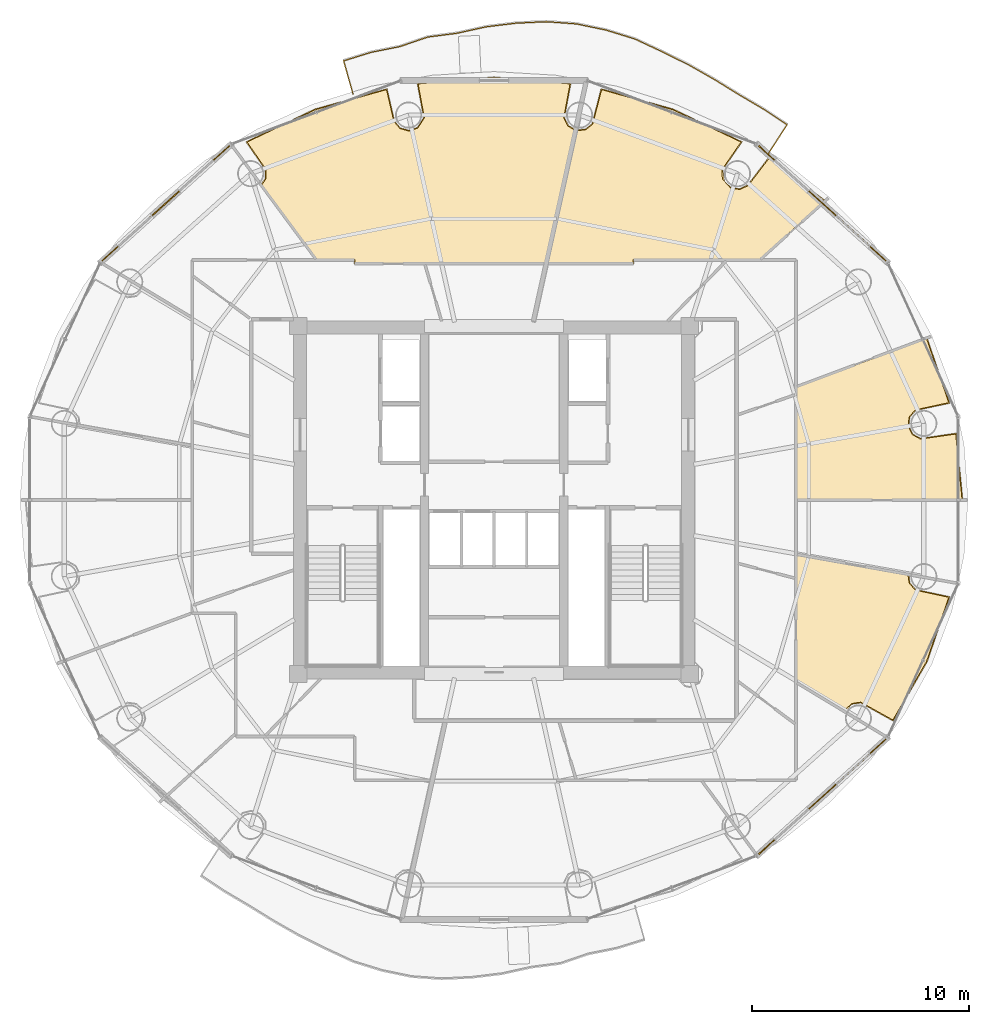
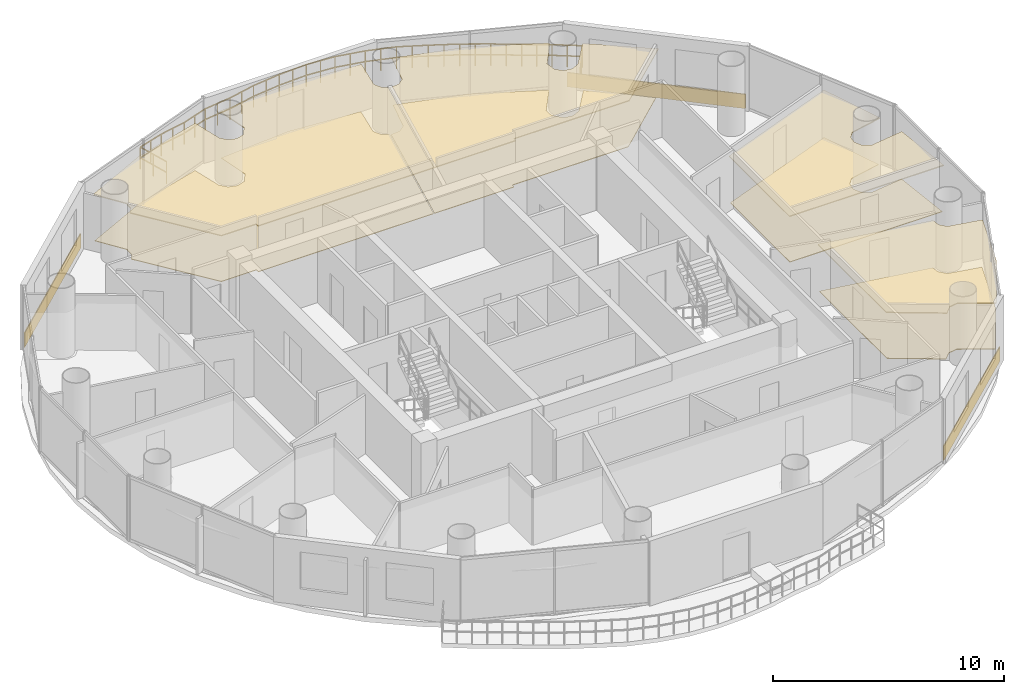
# One storey, part 26 of 26: 11 coverings, 1 railing.
"""IFC4 building model written with IfcOpenShell, lengths in metres."""

from ifc_helpers import new_model, si_unit, direction, frame, origin, origin_2d, place, context, subcontext, project, spatial, polyline, rectangle, outline, extrude, source, transform, mapped, material, layer, layer_set, type_object, element, save


model = new_model("IFC4")

# Units and contexts
model_context = context("Model", 3, precision=1e-05, world=origin(), true_north=direction((-0.2419218956, 0.970295726276)))
body_context = subcontext(model_context, "Body", "Model", "MODEL_VIEW")
ifc_project = project(units=[si_unit("LENGTHUNIT", "METRE"), si_unit("AREAUNIT", "SQUARE_METRE"), si_unit("VOLUMEUNIT", "CUBIC_METRE"), si_unit("PLANEANGLEUNIT", "RADIAN"), si_unit("MASSUNIT", "GRAM", prefix="KILO")], contexts=[model_context])

# Site, building, storey
site_placement = place(None, origin())
site = spatial("IfcSite", under=ifc_project, at=site_placement, CompositionType="ELEMENT")
building_placement = place(site_placement, origin())
building = spatial("IfcBuilding", under=site, at=building_placement, Name="Cobrevalo Terracotta Tower", CompositionType="ELEMENT")
storey_placement = place(building_placement, frame((0.0, 0.0, 224.5)))
storey = spatial("IfcBuildingStorey", under=building, at=storey_placement, Name="L59", CompositionType="ELEMENT", Elevation=224.5)

# Railing
ifc_material_1 = material(Name="Laminated structural glass and stainless steel", Category="steel")
railing_type = type_object("IfcRailingType", Name="Balcony lobe structural glass & terracotta-cap balustrade 1180 mm", PredefinedType="BALUSTRADE", material=ifc_material_1)
railing_placement = place(storey_placement, frame((50.611328125, 42.722900390625, 0.0)))
element("IfcRailing", 1, at=railing_placement, inside=storey, type_object=railing_type, Name="L59 spiralling balcony lobe balustrade 1", PredefinedType="BALUSTRADE", context=body_context, shape_type="SweptSolid", body=[
    extrude(rectangle(XDim=0.048095703125, YDim=0.048095703125, at=origin_2d()), frame((0.0, 0.0, 1.15576171875), z_axis=(0.543366025939, 0.839495897462, 0.0), x_axis=(-0.839495897462, 0.543366025939, 0.0)), (0.0, 0.0, 1.0), 1.587890625),
    extrude(rectangle(XDim=0.048095703125, YDim=0.048095703125, at=origin_2d()), frame((0.0, 0.0, 0.58984375), z_axis=(0.543366025939, 0.839495897462, 0.0), x_axis=(-0.839495897462, 0.543366025939, 0.0)), (0.0, 0.0, 1.0), 1.587890625),
    extrude(rectangle(XDim=0.048095703125, YDim=0.048095703125, at=origin_2d()), frame((0.86279296875, 1.3330078125, 1.15576171875), z_axis=(-0.833396558679, 0.552675470762, 0.0), x_axis=(-0.552675470762, -0.833396558679, 0.0)), (0.0, 0.0, 1.0), 1.308837890625),
    extrude(rectangle(XDim=0.048095703125, YDim=0.048095703125, at=origin_2d()), frame((0.86279296875, 1.3330078125, 0.58984375), z_axis=(-0.833396558679, 0.552675470762, 0.0), x_axis=(-0.552675470762, -0.833396558679, 0.0)), (0.0, 0.0, 1.0), 1.308837890625),
    extrude(rectangle(XDim=0.048095703125, YDim=0.048095703125, at=origin_2d()), frame((-0.22802734375, 2.056396484375, 1.15576171875), z_axis=(-0.861292861659, 0.508108852959, 0.0), x_axis=(-0.508108852959, -0.861292861659, 0.0)), (0.0, 0.0, 1.0), 1.312744140625),
    extrude(rectangle(XDim=0.048095703125, YDim=0.048095703125, at=origin_2d()), frame((-0.22802734375, 2.056396484375, 0.58984375), z_axis=(-0.861292861659, 0.508108852959, 0.0), x_axis=(-0.508108852959, -0.861292861659, 0.0)), (0.0, 0.0, 1.0), 1.312744140625),
    extrude(rectangle(XDim=0.048095703125, YDim=0.048095703125, at=origin_2d()), frame((-1.358642578125, 2.723388671875, 1.15576171875), z_axis=(-0.850980445533, 0.525197373681, 0.0), x_axis=(-0.525197373681, -0.850980445533, 0.0)), (0.0, 0.0, 1.0), 1.3369140625),
    extrude(rectangle(XDim=0.048095703125, YDim=0.048095703125, at=origin_2d()), frame((-1.358642578125, 2.723388671875, 0.58984375), z_axis=(-0.850980445533, 0.525197373681, 0.0), x_axis=(-0.525197373681, -0.850980445533, 0.0)), (0.0, 0.0, 1.0), 1.3369140625),
    extrude(rectangle(XDim=0.048095703125, YDim=0.048095703125, at=origin_2d()), frame((-2.496337890625, 3.425537109375, 1.15576171875), z_axis=(-0.869467171083, 0.493990727047, 0.0), x_axis=(-0.493990727047, -0.869467171083, 0.0)), (0.0, 0.0, 1.0), 1.34716796875),
    extrude(rectangle(XDim=0.048095703125, YDim=0.048095703125, at=origin_2d()), frame((-2.496337890625, 3.425537109375, 0.58984375), z_axis=(-0.869467171083, 0.493990727047, 0.0), x_axis=(-0.493990727047, -0.869467171083, 0.0)), (0.0, 0.0, 1.0), 1.34716796875),
    extrude(rectangle(XDim=0.048095703125, YDim=0.048095703125, at=origin_2d()), frame((-3.667724609375, 4.091064453125, 1.15576171875), z_axis=(-0.896348799978, 0.44334955597, 0.0), x_axis=(-0.44334955597, -0.896348799978, 0.0)), (0.0, 0.0, 1.0), 1.3662109375),
    extrude(rectangle(XDim=0.048095703125, YDim=0.048095703125, at=origin_2d()), frame((-3.667724609375, 4.091064453125, 0.58984375), z_axis=(-0.896348799978, 0.44334955597, 0.0), x_axis=(-0.44334955597, -0.896348799978, 0.0)), (0.0, 0.0, 1.0), 1.3662109375),
    extrude(rectangle(XDim=0.048095703125, YDim=0.048095703125, at=origin_2d()), frame((-4.892333984375, 4.69677734375, 1.15576171875), z_axis=(-0.906309377136, 0.422614851746, 0.0), x_axis=(-0.422614851746, -0.906309377136, 0.0)), (0.0, 0.0, 1.0), 1.383056640625),
    extrude(rectangle(XDim=0.048095703125, YDim=0.048095703125, at=origin_2d()), frame((-4.892333984375, 4.69677734375, 0.58984375), z_axis=(-0.906309377136, 0.422614851746, 0.0), x_axis=(-0.422614851746, -0.906309377136, 0.0)), (0.0, 0.0, 1.0), 1.383056640625),
    extrude(rectangle(XDim=0.048095703125, YDim=0.048095703125, at=origin_2d()), frame((-6.145751953125, 5.28125, 1.15576171875), z_axis=(-0.955580125331, 0.294731443982, 0.0), x_axis=(-0.294731443982, -0.955580125331, 0.0)), (0.0, 0.0, 1.0), 1.381591796875),
    extrude(rectangle(XDim=0.048095703125, YDim=0.048095703125, at=origin_2d()), frame((-6.145751953125, 5.28125, 0.58984375), z_axis=(-0.955580125331, 0.294731443982, 0.0), x_axis=(-0.294731443982, -0.955580125331, 0.0)), (0.0, 0.0, 1.0), 1.381591796875),
    extrude(rectangle(XDim=0.048095703125, YDim=0.048095703125, at=origin_2d()), frame((-7.466064453125, 5.6884765625, 1.15576171875), z_axis=(-0.979033162565, 0.203700924393, 0.0), x_axis=(-0.203700924393, -0.979033162565, 0.0)), (0.0, 0.0, 1.0), 1.385498046875),
    extrude(rectangle(XDim=0.048095703125, YDim=0.048095703125, at=origin_2d()), frame((-7.466064453125, 5.6884765625, 0.58984375), z_axis=(-0.979033162565, 0.203700924393, 0.0), x_axis=(-0.203700924393, -0.979033162565, 0.0)), (0.0, 0.0, 1.0), 1.385498046875),
    extrude(rectangle(XDim=0.048095703125, YDim=0.048095703125, at=origin_2d()), frame((-8.822509765625, 5.970703125, 1.15576171875), z_axis=(-0.997397487821, 0.072098899349, 0.0), x_axis=(-0.072098899349, -0.997397487821, 0.0)), (0.0, 0.0, 1.0), 1.385009765625),
    extrude(rectangle(XDim=0.048095703125, YDim=0.048095703125, at=origin_2d()), frame((-8.822509765625, 5.970703125, 0.58984375), z_axis=(-0.997397487821, 0.072098899349, 0.0), x_axis=(-0.072098899349, -0.997397487821, 0.0)), (0.0, 0.0, 1.0), 1.385009765625),
    extrude(rectangle(XDim=0.048095703125, YDim=0.048095703125, at=origin_2d()), frame((-10.203857421875, 6.070556640625, 1.15576171875), z_axis=(-0.99890868524, -0.046705872785, 0.0), x_axis=(0.046705872785, -0.99890868524, 0.0)), (0.0, 0.0, 1.0), 1.390380859375),
    extrude(rectangle(XDim=0.048095703125, YDim=0.048095703125, at=origin_2d()), frame((-10.203857421875, 6.070556640625, 0.58984375), z_axis=(-0.99890868524, -0.046705872785, 0.0), x_axis=(0.046705872785, -0.99890868524, 0.0)), (0.0, 0.0, 1.0), 1.390380859375),
    extrude(rectangle(XDim=0.048095703125, YDim=0.048095703125, at=origin_2d()), frame((-11.5927734375, 6.005615234375, 1.15576171875), z_axis=(-0.992642773452, -0.121079826207, 0.0), x_axis=(0.121079826207, -0.992642773452, 0.0)), (0.0, 0.0, 1.0), 1.38330078125),
    extrude(rectangle(XDim=0.048095703125, YDim=0.048095703125, at=origin_2d()), frame((-11.5927734375, 6.005615234375, 0.58984375), z_axis=(-0.992642773452, -0.121079826207, 0.0), x_axis=(0.121079826207, -0.992642773452, 0.0)), (0.0, 0.0, 1.0), 1.38330078125),
    extrude(rectangle(XDim=0.048095703125, YDim=0.048095703125, at=origin_2d()), frame((-12.9658203125, 5.838134765625, 1.15576171875), z_axis=(-0.976645948554, -0.214855046889, 0.0), x_axis=(0.214855046889, -0.976645948554, 0.0)), (0.0, 0.0, 1.0), 1.3828125),
    extrude(rectangle(XDim=0.048095703125, YDim=0.048095703125, at=origin_2d()), frame((-12.9658203125, 5.838134765625, 0.58984375), z_axis=(-0.976645948554, -0.214855046889, 0.0), x_axis=(0.214855046889, -0.976645948554, 0.0)), (0.0, 0.0, 1.0), 1.3828125),
    extrude(rectangle(XDim=0.048095703125, YDim=0.048095703125, at=origin_2d()), frame((-14.31640625, 5.541015625, 1.15576171875), z_axis=(-0.99167566254, -0.128760942545, 0.0), x_axis=(0.128760942545, -0.99167566254, 0.0)), (0.0, 0.0, 1.0), 1.353759765625),
    extrude(rectangle(XDim=0.048095703125, YDim=0.048095703125, at=origin_2d()), frame((-14.31640625, 5.541015625, 0.58984375), z_axis=(-0.99167566254, -0.128760942545, 0.0), x_axis=(0.128760942545, -0.99167566254, 0.0)), (0.0, 0.0, 1.0), 1.353759765625),
    extrude(rectangle(XDim=0.048095703125, YDim=0.048095703125, at=origin_2d()), frame((-15.658935546875, 5.36669921875, 1.15576171875), z_axis=(-0.946513914702, -0.322662996447, 0.0), x_axis=(0.322662996447, -0.946513914702, 0.0)), (0.0, 0.0, 1.0), 1.3642578125),
    extrude(rectangle(XDim=0.048095703125, YDim=0.048095703125, at=origin_2d()), frame((-15.658935546875, 5.36669921875, 0.58984375), z_axis=(-0.946513914702, -0.322662996447, 0.0), x_axis=(0.322662996447, -0.946513914702, 0.0)), (0.0, 0.0, 1.0), 1.3642578125),
    extrude(rectangle(XDim=0.048095703125, YDim=0.048095703125, at=origin_2d()), frame((-16.9501953125, 4.926513671875, 1.15576171875), z_axis=(-0.980482163932, -0.196608052253, 0.0), x_axis=(0.196608052253, -0.980482163932, 0.0)), (0.0, 0.0, 1.0), 1.336181640625),
    extrude(rectangle(XDim=0.048095703125, YDim=0.048095703125, at=origin_2d()), frame((-16.9501953125, 4.926513671875, 0.58984375), z_axis=(-0.980482163932, -0.196608052253, 0.0), x_axis=(0.196608052253, -0.980482163932, 0.0)), (0.0, 0.0, 1.0), 1.336181640625),
    extrude(rectangle(XDim=0.048095703125, YDim=0.048095703125, at=origin_2d()), frame((-18.26025390625, 4.663818359375, 1.15576171875), z_axis=(-0.955604077324, -0.294653775476, 0.0), x_axis=(0.294653775476, -0.955604077324, 0.0)), (0.0, 0.0, 1.0), 1.3291015625),
    extrude(rectangle(XDim=0.048095703125, YDim=0.048095703125, at=origin_2d()), frame((-18.26025390625, 4.663818359375, 0.58984375), z_axis=(-0.955604077324, -0.294653775476, 0.0), x_axis=(0.294653775476, -0.955604077324, 0.0)), (0.0, 0.0, 1.0), 1.3291015625),
    extrude(rectangle(XDim=0.048095703125, YDim=0.048095703125, at=origin_2d()), frame((-19.5302734375, 4.272216796875, 1.15576171875), z_axis=(0.273210469016, -0.961954281461, 0.0), x_axis=(0.961954281461, 0.273210469016, 0.0)), (0.0, 0.0, 1.0), 1.579833984375),
    extrude(rectangle(XDim=0.048095703125, YDim=0.048095703125, at=origin_2d()), frame((-19.5302734375, 4.272216796875, 0.58984375), z_axis=(0.273210469016, -0.961954281461, 0.0), x_axis=(0.961954281461, 0.273210469016, 0.0)), (0.0, 0.0, 1.0), 1.579833984375),
    extrude(rectangle(XDim=0.0419921875, YDim=0.0419921875, at=origin_2d()), origin(), (0.0, 0.0, 1.0), 1.1318359375),
    extrude(rectangle(XDim=0.0419921875, YDim=0.0419921875, at=origin_2d()), frame((0.431396484375, 0.66650390625, 0.0)), (0.0, 0.0, 1.0), 1.1318359375),
    extrude(rectangle(XDim=0.0419921875, YDim=0.0419921875, at=origin_2d()), frame((0.86279296875, 1.3330078125, 0.0)), (0.0, 0.0, 1.0), 1.1318359375),
    extrude(rectangle(XDim=0.0419921875, YDim=0.0419921875, at=origin_2d()), frame((0.3173828125, 1.69482421875, 0.0)), (0.0, 0.0, 1.0), 1.1318359375),
    extrude(rectangle(XDim=0.0419921875, YDim=0.0419921875, at=origin_2d()), frame((-0.22802734375, 2.056396484375, 0.0)), (0.0, 0.0, 1.0), 1.1318359375),
    extrude(rectangle(XDim=0.0419921875, YDim=0.0419921875, at=origin_2d()), frame((-0.79345703125, 2.389892578125, 0.0)), (0.0, 0.0, 1.0), 1.1318359375),
    extrude(rectangle(XDim=0.0419921875, YDim=0.0419921875, at=origin_2d()), frame((-1.358642578125, 2.723388671875, 0.0)), (0.0, 0.0, 1.0), 1.1318359375),
    extrude(rectangle(XDim=0.0419921875, YDim=0.0419921875, at=origin_2d()), frame((-1.927490234375, 3.074462890625, 0.0)), (0.0, 0.0, 1.0), 1.1318359375),
    extrude(rectangle(XDim=0.0419921875, YDim=0.0419921875, at=origin_2d()), frame((-2.496337890625, 3.425537109375, 0.0)), (0.0, 0.0, 1.0), 1.1318359375),
    extrude(rectangle(XDim=0.0419921875, YDim=0.0419921875, at=origin_2d()), frame((-3.08203125, 3.75830078125, 0.0)), (0.0, 0.0, 1.0), 1.1318359375),
    extrude(rectangle(XDim=0.0419921875, YDim=0.0419921875, at=origin_2d()), frame((-3.667724609375, 4.091064453125, 0.0)), (0.0, 0.0, 1.0), 1.1318359375),
    extrude(rectangle(XDim=0.0419921875, YDim=0.0419921875, at=origin_2d()), frame((-4.280029296875, 4.39404296875, 0.0)), (0.0, 0.0, 1.0), 1.1318359375),
    extrude(rectangle(XDim=0.0419921875, YDim=0.0419921875, at=origin_2d()), frame((-4.892333984375, 4.69677734375, 0.0)), (0.0, 0.0, 1.0), 1.1318359375),
    extrude(rectangle(XDim=0.0419921875, YDim=0.0419921875, at=origin_2d()), frame((-5.51904296875, 4.989013671875, 0.0)), (0.0, 0.0, 1.0), 1.1318359375),
    extrude(rectangle(XDim=0.0419921875, YDim=0.0419921875, at=origin_2d()), frame((-6.145751953125, 5.28125, 0.0)), (0.0, 0.0, 1.0), 1.1318359375),
    extrude(rectangle(XDim=0.0419921875, YDim=0.0419921875, at=origin_2d()), frame((-6.805908203125, 5.48486328125, 0.0)), (0.0, 0.0, 1.0), 1.1318359375),
    extrude(rectangle(XDim=0.0419921875, YDim=0.0419921875, at=origin_2d()), frame((-7.466064453125, 5.6884765625, 0.0)), (0.0, 0.0, 1.0), 1.1318359375),
    extrude(rectangle(XDim=0.0419921875, YDim=0.0419921875, at=origin_2d()), frame((-8.144287109375, 5.82958984375, 0.0)), (0.0, 0.0, 1.0), 1.1318359375),
    extrude(rectangle(XDim=0.0419921875, YDim=0.0419921875, at=origin_2d()), frame((-8.822509765625, 5.970703125, 0.0)), (0.0, 0.0, 1.0), 1.1318359375),
    extrude(rectangle(XDim=0.0419921875, YDim=0.0419921875, at=origin_2d()), frame((-9.51318359375, 6.0205078125, 0.0)), (0.0, 0.0, 1.0), 1.1318359375),
    extrude(rectangle(XDim=0.0419921875, YDim=0.0419921875, at=origin_2d()), frame((-10.203857421875, 6.070556640625, 0.0)), (0.0, 0.0, 1.0), 1.1318359375),
    extrude(rectangle(XDim=0.0419921875, YDim=0.0419921875, at=origin_2d()), frame((-10.8984375, 6.0380859375, 0.0)), (0.0, 0.0, 1.0), 1.1318359375),
    extrude(rectangle(XDim=0.0419921875, YDim=0.0419921875, at=origin_2d()), frame((-11.5927734375, 6.005615234375, 0.0)), (0.0, 0.0, 1.0), 1.1318359375),
    extrude(rectangle(XDim=0.0419921875, YDim=0.0419921875, at=origin_2d()), frame((-12.279296875, 5.921875, 0.0)), (0.0, 0.0, 1.0), 1.1318359375),
    extrude(rectangle(XDim=0.0419921875, YDim=0.0419921875, at=origin_2d()), frame((-12.9658203125, 5.838134765625, 0.0)), (0.0, 0.0, 1.0), 1.1318359375),
    extrude(rectangle(XDim=0.0419921875, YDim=0.0419921875, at=origin_2d()), frame((-13.64111328125, 5.689453125, 0.0)), (0.0, 0.0, 1.0), 1.1318359375),
    extrude(rectangle(XDim=0.0419921875, YDim=0.0419921875, at=origin_2d()), frame((-14.31640625, 5.541015625, 0.0)), (0.0, 0.0, 1.0), 1.1318359375),
    extrude(rectangle(XDim=0.0419921875, YDim=0.0419921875, at=origin_2d()), frame((-14.98779296875, 5.453857421875, 0.0)), (0.0, 0.0, 1.0), 1.1318359375),
    extrude(rectangle(XDim=0.0419921875, YDim=0.0419921875, at=origin_2d()), frame((-15.658935546875, 5.36669921875, 0.0)), (0.0, 0.0, 1.0), 1.1318359375),
    extrude(rectangle(XDim=0.0419921875, YDim=0.0419921875, at=origin_2d()), frame((-16.3046875, 5.146484375, 0.0)), (0.0, 0.0, 1.0), 1.1318359375),
    extrude(rectangle(XDim=0.0419921875, YDim=0.0419921875, at=origin_2d()), frame((-16.9501953125, 4.926513671875, 0.0)), (0.0, 0.0, 1.0), 1.1318359375),
    extrude(rectangle(XDim=0.0419921875, YDim=0.0419921875, at=origin_2d()), frame((-17.605224609375, 4.795166015625, 0.0)), (0.0, 0.0, 1.0), 1.1318359375),
    extrude(rectangle(XDim=0.0419921875, YDim=0.0419921875, at=origin_2d()), frame((-18.26025390625, 4.663818359375, 0.0)), (0.0, 0.0, 1.0), 1.1318359375),
    extrude(rectangle(XDim=0.0419921875, YDim=0.0419921875, at=origin_2d()), frame((-18.895263671875, 4.468017578125, 0.0)), (0.0, 0.0, 1.0), 1.1318359375),
    extrude(rectangle(XDim=0.0419921875, YDim=0.0419921875, at=origin_2d()), frame((-19.5302734375, 4.272216796875, 0.0)), (0.0, 0.0, 1.0), 1.1318359375),
    extrude(rectangle(XDim=0.0419921875, YDim=0.0419921875, at=origin_2d()), frame((-19.314453125, 3.51220703125, 0.0)), (0.0, 0.0, 1.0), 1.1318359375),
    extrude(rectangle(XDim=0.0419921875, YDim=0.0419921875, at=origin_2d()), frame((-19.0986328125, 2.75244140625, 0.0)), (0.0, 0.0, 1.0), 1.1318359375),
])

# Coverings
ifc_material_2 = material(Name="Engineered Brazilian hardwood flooring", Category="wood")
ifc_layer_1 = layer(ifc_material_2, 0.028076171875)
ifc_layer_set_1 = layer_set([ifc_layer_1], Name="Engineered Brazilian hardwood flooring")
covering_type_1 = type_object("IfcCoveringType", Name="Engineered Hardwood Suite Flooring 28", PredefinedType="FLOORING", material=ifc_layer_set_1)
covering_1_placement = place(storey_placement, origin())
element("IfcCovering", 2, at=covering_1_placement, inside=storey, type_object=covering_type_1, Name="Flat L59A Penthouse Living and Dining Room floor finish", PredefinedType="FLOORING", context=body_context, shape_type="SweptSolid", body=[
    extrude(outline(polyline([(29.763916015625, 44.741455078125), (33.0517578125, 45.669921875), (33.3916015625, 44.204833984375), (33.67138671875, 43.87890625), (34.08544921875, 43.76318359375), (34.49365234375, 43.89697265625), (34.7978515625, 44.375), (34.509765625, 45.931640625), (38.0, 46.219970703125), (41.490234375, 45.931640625), (41.2021484375, 44.375), (41.396240234375, 43.991455078125), (41.720947265625, 43.797119140625), (40.377685546875, 37.695068359375), (31.60498046875, 37.695068359375), (31.60498046875, 37.85498046875), (29.850830078125, 37.85498046875), (27.318603515625, 41.279541015625), (27.502685546875, 41.560546875), (27.522705078125, 41.98974609375), (26.6455078125, 43.259765625), (29.763916015625, 44.741455078125)])), origin(), (0.0, 0.0, 1.0), 0.030029296875),
])
covering_2_placement = place(storey_placement, origin())
element("IfcCovering", 3, at=covering_2_placement, inside=storey, type_object=covering_type_1, Name="Flat L59B Principal Guest Bedroom floor finish", PredefinedType="FLOORING", context=body_context, shape_type="SweptSolid", body=[
    extrude(outline(polyline([(56.337890625, 16.6865234375), (54.8623046875, 17.504150390625), (54.437255859375, 17.44091796875), (54.096435546875, 17.10400390625), (51.905029296875, 18.42724609375), (51.905029296875, 24.2802734375), (57.0302734375, 23.35888671875), (57.0849609375, 22.981689453125), (57.364013671875, 22.655029296875), (58.90771484375, 22.322998046875), (57.882080078125, 19.368896484375), (56.337890625, 16.6865234375)])), origin(), (0.0, 0.0, 1.0), 0.030029296875),
])
covering_3_placement = place(storey_placement, origin())
element("IfcCovering", 4, at=covering_3_placement, inside=storey, type_object=covering_type_1, Name="Flat L59B Principal Guest Bedroom floor finish", PredefinedType="FLOORING", context=body_context, shape_type="SweptSolid", body=[
    extrude(outline(polyline([(57.885498046875, 34.221923828125), (58.90771484375, 31.277099609375), (57.364013671875, 30.94482421875), (57.0849609375, 30.6181640625), (57.0341796875, 30.191650390625), (57.229248046875, 29.80859375), (57.60400390625, 29.5986328125), (59.2265625, 29.83056640625), (59.5185546875, 26.820068359375), (51.905029296875, 26.820068359375), (51.905029296875, 31.9833984375), (57.885498046875, 34.221923828125)])), origin(), (0.0, 0.0, 1.0), 0.030029296875),
])
covering_4_placement = place(storey_placement, origin())
element("IfcCovering", 5, at=covering_4_placement, inside=storey, type_object=covering_type_1, Name="Flat L59B Private Cinema Room floor finish", PredefinedType="FLOORING", context=body_context, shape_type="SweptSolid", body=[
    extrude(outline(polyline([(44.39501953125, 37.695068359375), (40.418701171875, 37.695068359375), (41.759765625, 43.78759765625), (42.198974609375, 43.813232421875), (42.537109375, 44.078369140625), (42.9482421875, 45.669921875), (46.236083984375, 44.741455078125), (49.3544921875, 43.259765625), (48.477294921875, 41.98974609375), (48.497314453125, 41.560546875), (48.87646484375, 41.139892578125), (49.30126953125, 41.07568359375), (49.690185546875, 41.25830078125), (50.6279296875, 42.49169921875), (53.189697265625, 40.553466796875), (50.20361328125, 37.85498046875), (44.39501953125, 37.85498046875), (44.39501953125, 37.695068359375)])), origin(), (0.0, 0.0, 1.0), 0.030029296875),
])
ifc_material_3 = material(Name="Acoustic perforated gypsum ceiling", Category="gypsum")
ifc_layer_2 = layer(ifc_material_3, 0.050048828125)
ifc_layer_set_2 = layer_set([ifc_layer_2], Name="Acoustic perforated gypsum ceiling")
covering_type_2 = type_object("IfcCoveringType", Name="Perforated Acoustic Gypsum Ceiling 50", PredefinedType="CEILING", material=ifc_layer_set_2)
covering_5_placement = place(storey_placement, frame((0.0, 0.0, 2.445068359375)))
element("IfcCovering", 6, at=covering_5_placement, inside=storey, type_object=covering_type_2, Name="Flat L59A Penthouse Living and Dining Room acoustic ceiling", PredefinedType="CEILING", context=body_context, shape_type="SweptSolid", body=[
    extrude(outline(polyline([(29.748291015625, 44.78369140625), (33.08642578125, 45.7216796875), (33.43310546875, 44.22314453125), (33.69580078125, 43.9169921875), (34.084228515625, 43.808349609375), (34.4677734375, 43.93408203125), (34.753173828125, 44.3828125), (34.455810546875, 45.967529296875), (38.0, 46.26513671875), (41.544189453125, 45.967529296875), (41.246826171875, 44.3828125), (41.428955078125, 44.02294921875), (41.7734375, 43.8271484375), (40.413818359375, 37.64990234375), (31.56005859375, 37.64990234375), (31.56005859375, 37.81005859375), (29.828125, 37.81005859375), (27.25830078125, 41.285400390625), (27.460205078125, 41.57568359375), (27.478759765625, 41.978759765625), (26.579833984375, 43.272705078125), (29.748291015625, 44.78369140625)])), origin(), (0.0, 0.0, 1.0), 0.050048828125),
])
covering_6_placement = place(storey_placement, frame((0.0, 0.0, 2.445068359375)))
element("IfcCovering", 7, at=covering_6_placement, inside=storey, type_object=covering_type_2, Name="Flat L59B Principal Guest Bedroom acoustic ceiling", PredefinedType="CEILING", context=body_context, shape_type="SweptSolid", body=[
    extrude(outline(polyline([(56.349853515625, 16.626953125), (54.855712890625, 17.45947265625), (54.45654296875, 17.39990234375), (54.115966796875, 17.039794921875), (51.860107421875, 18.40185546875), (51.860107421875, 24.333984375), (57.078369140625, 23.39599609375), (57.126220703125, 23.0), (57.388427734375, 22.693359375), (58.961669921875, 22.359130859375), (57.923095703125, 19.35009765625), (56.349853515625, 16.626953125)])), origin(), (0.0, 0.0, 1.0), 0.050048828125),
])
covering_7_placement = place(storey_placement, frame((0.0, 0.0, 2.445068359375)))
element("IfcCovering", 8, at=covering_7_placement, inside=storey, type_object=covering_type_2, Name="Flat L59B Principal Guest Bedroom acoustic ceiling", PredefinedType="CEILING", context=body_context, shape_type="SweptSolid", body=[
    extrude(outline(polyline([(57.911865234375, 34.280029296875), (58.961669921875, 31.240966796875), (57.388427734375, 30.90673828125), (57.126220703125, 30.60009765625), (57.07861328125, 30.199462890625), (57.26171875, 29.83984375), (57.613525390625, 29.642578125), (59.26123046875, 29.88232421875), (59.56689453125, 26.77490234375), (51.860107421875, 26.77490234375), (51.860107421875, 32.0146484375), (57.911865234375, 34.280029296875)])), origin(), (0.0, 0.0, 1.0), 0.050048828125),
])
covering_8_placement = place(storey_placement, frame((0.0, 0.0, 2.445068359375)))
element("IfcCovering", 9, at=covering_8_placement, inside=storey, type_object=covering_type_2, Name="Flat L59B Private Cinema Room acoustic ceiling", PredefinedType="CEILING", context=body_context, shape_type="SweptSolid", body=[
    extrude(outline(polyline([(44.43994140625, 37.64990234375), (40.362548828125, 37.64990234375), (41.724853515625, 43.838623046875), (42.1826171875, 43.85546875), (42.500244140625, 44.1044921875), (42.91357421875, 45.7216796875), (46.251708984375, 44.78369140625), (49.420166015625, 43.272705078125), (48.521240234375, 41.978759765625), (48.59765625, 41.452392578125), (48.89599609375, 41.1806640625), (49.294921875, 41.120361328125), (49.659912109375, 41.2919921875), (50.6162109375, 42.55126953125), (53.25927734375, 40.5556640625), (50.220947265625, 37.81005859375), (44.43994140625, 37.81005859375), (44.43994140625, 37.64990234375)])), origin(), (0.0, 0.0, 1.0), 0.050048828125),
])
ifc_material_4 = material(Name="Glazed terracotta facade cladding tile", Category="masonry")
ifc_layer_3 = layer(ifc_material_4, 0.044921875)
ifc_layer_set_3 = layer_set([ifc_layer_3], Name="Glazed terracotta facade cladding tile")
covering_type_3 = type_object("IfcCoveringType", Name="Architectural terracotta rainscreen spandrel cladding 45 mm", PredefinedType="CLADDING", material=ifc_layer_set_3)
shared_shape = source(origin(), body_context, "Body", "SweptSolid", [
    extrude(rectangle(XDim=7.89501953125, YDim=0.044921875, at=origin_2d()), origin(), (0.0, 0.0, 1.0), 0.760009765625),
])
for number, where, z_axis, x_axis, name in (
    (10, (53.097900390625, 40.441650390625, 0.0400390625), (0.0, 0.0, 1.0), (-0.741987542015, 0.670413668935, 0.0), "L59 terracotta spandrel cladding S02"),
    (11, (22.902099609375, 40.441650390625, 0.0400390625), (0.0, 0.0, 1.0), (-0.741987542015, -0.670413668935, 0.0), "L59 terracotta spandrel cladding S06"),
    (12, (53.097900390625, 13.158447265625, 0.0400390625), (0.0, 0.0, 1.0), (0.741987542015, 0.670413668935, 0.0), "L59 terracotta spandrel cladding S14"),
):
    element("IfcCovering", number, at=place(storey_placement, frame(where, z_axis=z_axis, x_axis=x_axis)), inside=storey, type_object=covering_type_3, Name=name, PredefinedType="CLADDING", context=body_context, shape_type="MappedRepresentation", body=[
        mapped(shared_shape, transform((0.0, 0.0, 0.0), scale=1.0)),
    ])

save(model, "model.ifc")
